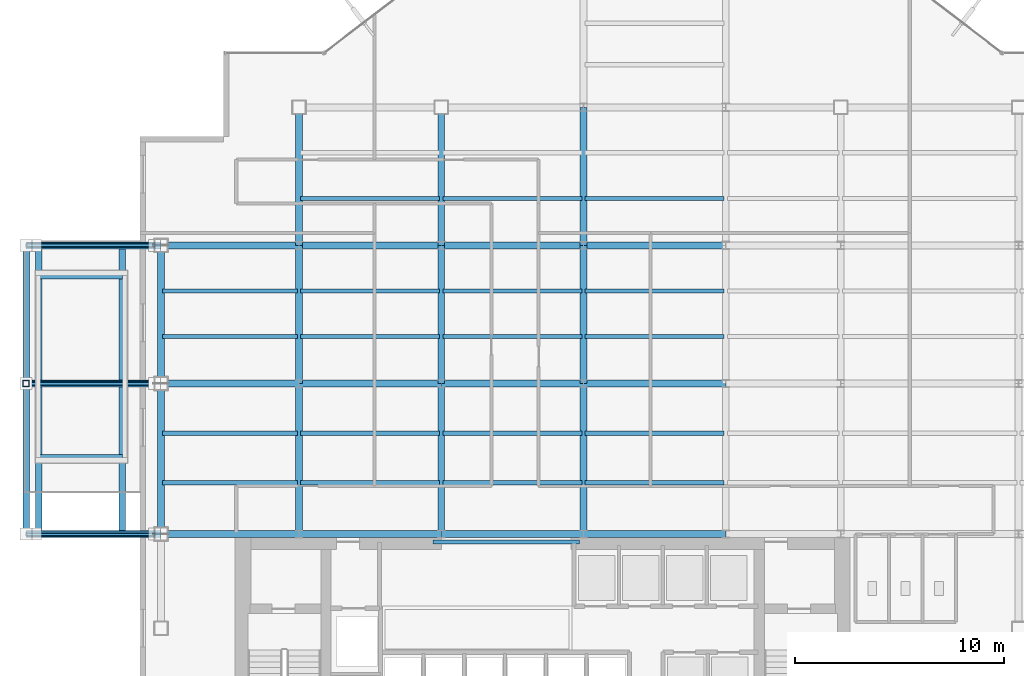
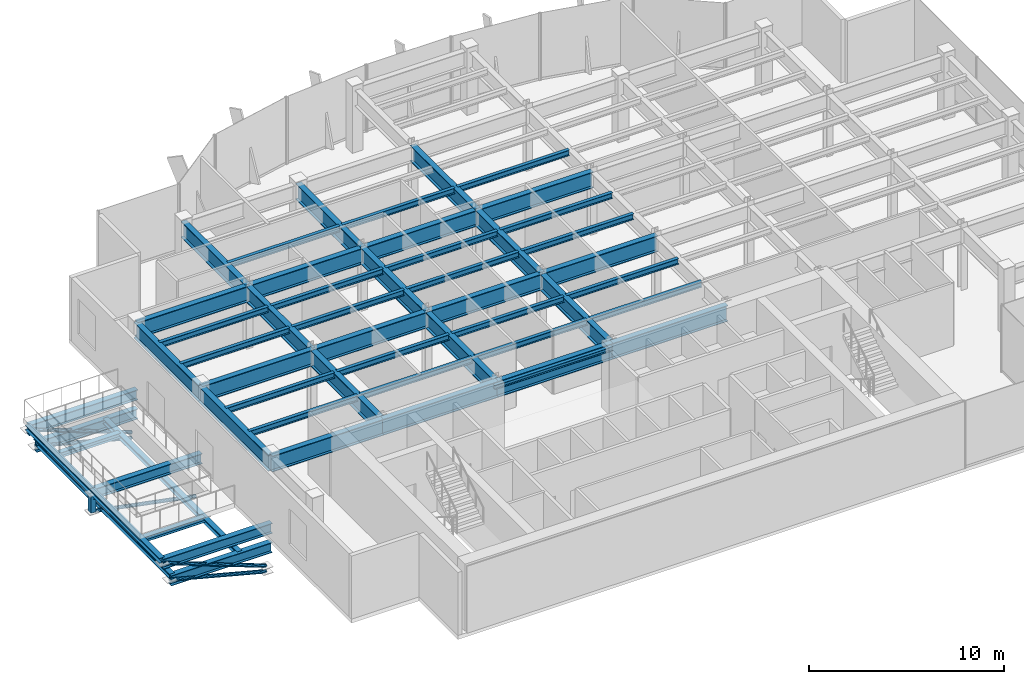
# One storey, part 3 of 26: 54 beams, 6 members.
"""IFC4 building model written with IfcOpenShell, lengths in metres."""

import ifcopenshell
import ifcopenshell.guid

model = None  # the IFC model being written
_history = None  # IfcOwnerHistory: only IFC2X3 demands one
_inside = {}  # id of a spatial element -> (the spatial element, [elements in it])
_under = {}  # id of a project, library or spatial element -> (it, [spatial elements below it])
_declared = {}  # id of a project -> (the project, [libraries it declares])
_typed = {}  # id of a type object -> (the type object, [elements of that type])
_made_of = {}  # id of a material, layer set ... -> (it, [elements and type objects made of it])


def new_model(schema):
    """Start an empty IFC model of exactly this schema.

    Asked for "IFC4X3", IfcOpenShell would pick the latest addendum, in which some entities
    have other attributes; the version numbers below select the first issue.
    IFC2X3 requires an IfcOwnerHistory on every rooted entity: one is made here for all.
    """
    global model, _history
    if schema == "IFC4X3":
        model = ifcopenshell.file(schema_version=(4, 3, 0, 0))
    else:
        model = ifcopenshell.file(schema=schema)
    _inside.clear()
    _under.clear()
    _declared.clear()
    _typed.clear()
    _made_of.clear()
    _history = None
    if model.schema == "IFC2X3":
        org = make("IfcOrganization", Name="unknown")
        user = make(
            "IfcPersonAndOrganization",
            ThePerson=make("IfcPerson", FamilyName="unknown"),
            TheOrganization=org,
        )
        app = make(
            "IfcApplication",
            ApplicationDeveloper=org,
            Version="unknown",
            ApplicationFullName="unknown",
            ApplicationIdentifier="unknown",
        )
        _history = make(
            "IfcOwnerHistory",
            OwningUser=user,
            OwningApplication=app,
            ChangeAction="ADDED",
            CreationDate=0,
        )
    return model


def make(cls, **values):
    """One entity of the class cls with the attributes given. An attribute that is None is left unset."""
    return model.create_entity(
        cls, **{name: value for name, value in values.items() if value is not None}
    )


def rooted(cls, **values):
    """An entity with a GlobalId (a new one), such as an element, a storey or a relation."""
    return make(cls, GlobalId=ifcopenshell.guid.new(), OwnerHistory=_history, **values)


def si_unit(unit_type, name, prefix=None):
    """IfcSIUnit, for example si_unit("LENGTHUNIT", "METRE", prefix="MILLI")."""
    return make("IfcSIUnit", UnitType=unit_type, Prefix=prefix, Name=name)


def derived_unit(unit_type, elements):
    """IfcDerivedUnit: a product of units, each with its exponent."""
    return make(
        "IfcDerivedUnit",
        Elements=[
            make("IfcDerivedUnitElement", Unit=unit, Exponent=power)
            for unit, power in elements
        ],
        UnitType=unit_type,
    )


def assignment(units):
    """IfcUnitAssignment: the units of a project."""
    return None if units is None else make("IfcUnitAssignment", Units=units)


def point(xyz):
    """IfcCartesianPoint."""
    return None if xyz is None else make("IfcCartesianPoint", Coordinates=xyz)


def direction(xyz):
    """IfcDirection."""
    return None if xyz is None else make("IfcDirection", DirectionRatios=xyz)


def frame(location, z_axis=None, x_axis=None):
    """IfcAxis2Placement3D, a coordinate frame: its origin and axes. An axis left out is left unset."""
    return make(
        "IfcAxis2Placement3D",
        Location=point(location),
        Axis=direction(z_axis),
        RefDirection=direction(x_axis),
    )


def frame_2d(location, x_axis=None):
    """IfcAxis2Placement2D, a coordinate frame in the plane: its origin and x axis."""
    return make(
        "IfcAxis2Placement2D", Location=point(location), RefDirection=direction(x_axis)
    )


def origin():
    """The frame at (0, 0, 0) with its axes left unset."""
    return frame((0.0, 0.0, 0.0))


def origin_2d():
    """The frame at (0, 0) in the plane with its x axis left unset."""
    return frame_2d((0.0, 0.0))


def place(relative_to, where):
    """IfcLocalPlacement: puts the frame where relative to a parent placement (None: the world)."""
    return make(
        "IfcLocalPlacement", PlacementRelTo=relative_to, RelativePlacement=where
    )


def context(
    kind, dimensions, precision=None, world=None, true_north=None, identifier=None
):
    """IfcGeometricRepresentationContext, for example the 3D "Model" context."""
    return make(
        "IfcGeometricRepresentationContext",
        ContextIdentifier=identifier,
        ContextType=kind,
        CoordinateSpaceDimension=dimensions,
        Precision=precision,
        WorldCoordinateSystem=world,
        TrueNorth=true_north,
    )


def subcontext(parent, identifier, kind, view, scale=None):
    """IfcGeometricRepresentationSubContext, for example "Body" below "Model"."""
    return make(
        "IfcGeometricRepresentationSubContext",
        ContextIdentifier=identifier,
        ContextType=kind,
        ParentContext=parent,
        TargetScale=scale,
        TargetView=view,
    )


def project(units=None, contexts=None):
    """IfcProject with its units and contexts."""
    return rooted(
        "IfcProject",
        Name="project",
        RepresentationContexts=contexts,
        UnitsInContext=assignment(units),
    )


def spatial(cls, under=None, at=None, **own):
    """A site, building, storey or space (cls), placed at a placement, below another one or the project."""
    s = rooted(cls, ObjectPlacement=at, **own)
    if under is not None:
        _under.setdefault(under.id(), (under, []))[1].append(s)
    return s


def profile(cls, at=None, kind="AREA", **sizes):
    """A parametric profile (cls). Its sizes go by their IFC names, for example OverallWidth=200.0."""
    return make(cls, ProfileType=kind, Position=at, **sizes)


def hollow_rectangle(**sizes):
    """IfcRectangleHollowProfileDef."""
    return profile("IfcRectangleHollowProfileDef", **sizes)


def hollow_circle(**sizes):
    """IfcCircleHollowProfileDef."""
    return profile("IfcCircleHollowProfileDef", **sizes)


def i_section(**sizes):
    """IfcIShapeProfileDef."""
    return profile("IfcIShapeProfileDef", **sizes)


def extrude(swept, where, along, depth):
    """IfcExtrudedAreaSolid: the profile swept, set in the frame where, extruded along a direction by depth."""
    return make(
        "IfcExtrudedAreaSolid",
        SweptArea=swept,
        Position=where,
        ExtrudedDirection=direction(along),
        Depth=depth,
    )


def shape(context_of_items, identifier, shape_type, items):
    """IfcShapeRepresentation: the items that make up one representation, for example the "Body"."""
    return make(
        "IfcShapeRepresentation",
        ContextOfItems=context_of_items,
        RepresentationIdentifier=identifier,
        RepresentationType=shape_type,
        Items=items,
    )


def source(mapping_origin, context_of_items, identifier, shape_type, items):
    """IfcRepresentationMap: a shape defined once, which mapped items show again and again."""
    return make(
        "IfcRepresentationMap",
        MappingOrigin=mapping_origin,
        MappedRepresentation=shape(context_of_items, identifier, shape_type, items),
    )


def transform(
    local_origin,
    x_axis=None,
    y_axis=None,
    z_axis=None,
    scale=None,
    scale2=None,
    scale3=None,
    uniform=True,
):
    """IfcCartesianTransformationOperator3D, or its non-uniform kind. x_axis, y_axis, z_axis: its Axis1, 2, 3."""
    if uniform:
        return make(
            "IfcCartesianTransformationOperator3D",
            Axis1=direction(x_axis),
            Axis2=direction(y_axis),
            LocalOrigin=point(local_origin),
            Scale=scale,
            Axis3=direction(z_axis),
        )
    return make(
        "IfcCartesianTransformationOperator3DnonUniform",
        Axis1=direction(x_axis),
        Axis2=direction(y_axis),
        LocalOrigin=point(local_origin),
        Scale=scale,
        Axis3=direction(z_axis),
        Scale2=scale2,
        Scale3=scale3,
    )


def mapped(mapping_source, mapping_target):
    """IfcMappedItem: shows the shape of a source again, moved by a transform."""
    return make(
        "IfcMappedItem", MappingSource=mapping_source, MappingTarget=mapping_target
    )


def material(Name=None, Category=None):
    """IfcMaterial."""
    return make("IfcMaterial", Name=Name, Category=Category)


def material_profile(
    of_material, cross_section, Name=None, Category=None, Priority=None
):
    """IfcMaterialProfile: a cross section and its material."""
    return make(
        "IfcMaterialProfile",
        Name=Name,
        Material=of_material,
        Profile=cross_section,
        Priority=Priority,
        Category=Category,
    )


def profile_set(profiles, Name=None, composite=None):
    """IfcMaterialProfileSet."""
    return make(
        "IfcMaterialProfileSet",
        Name=Name,
        MaterialProfiles=profiles,
        CompositeProfile=composite,
    )


def made_of(thing, what):
    """Note that an element or type object is made of a material, layer set ...; save() writes the relation."""
    if what is not None:
        _made_of.setdefault(what.id(), (what, []))[1].append(thing)
    return thing


def type_object(cls, material=None, **own):
    """A type object (cls), such as IfcWallType, which elements share."""
    return made_of(rooted(cls, **own), material)


def element(
    cls,
    number,
    at=None,
    inside=None,
    cuts=None,
    type_object=None,
    material=None,
    context=None,
    identifier="Body",
    shape_type=None,
    held_by="IfcProductDefinitionShape",
    body=None,
    shapes=None,
    **own,
):
    """One element of the class cls, such as IfcWall. Its Tag is "e" and its number.

    at: its placement. inside: the storey or other place that contains it. cuts: it is an
    opening in that element (IfcRelVoidsElement). A single representation is given by context,
    identifier, shape_type and body (its items); several are given by shapes. held_by: the class
    of the entity that holds the representations. save() writes the other relations.
    """
    e = rooted(cls, Tag="e%d" % number, ObjectPlacement=at, **own)
    if body is not None:
        shapes = [shape(context, identifier, shape_type, body)]
    if shapes is not None:
        e.Representation = make(held_by, Representations=shapes)
    if inside is not None:
        _inside.setdefault(inside.id(), (inside, []))[1].append(e)
    if cuts is not None:
        rooted(
            "IfcRelVoidsElement", RelatingBuildingElement=cuts, RelatedOpeningElement=e
        )
    if type_object is not None:
        _typed.setdefault(type_object.id(), (type_object, []))[1].append(e)
    return made_of(e, material)


def aggregate(whole, parts):
    """IfcRelAggregates: a whole, such as a stair, and the parts it consists of."""
    return rooted("IfcRelAggregates", RelatingObject=whole, RelatedObjects=parts)


def save(model, path):
    """Write the relations noted so far, then the file.

    IfcRelAggregates (storeys below a building ...), IfcRelContainedInSpatialStructure (elements
    in a storey), IfcRelDefinesByType, IfcRelAssociatesMaterial and IfcRelDeclares: one each for
    every whole, place, type object, material and project.
    """
    for whole, parts in _under.values():
        aggregate(whole, parts)
    for where, things in _inside.values():
        rooted(
            "IfcRelContainedInSpatialStructure",
            RelatedElements=things,
            RelatingStructure=where,
        )
    for kind, things in _typed.values():
        rooted("IfcRelDefinesByType", RelatedObjects=things, RelatingType=kind)
    for what, things in _made_of.values():
        rooted("IfcRelAssociatesMaterial", RelatedObjects=things, RelatingMaterial=what)
    for by, libraries in _declared.values():
        rooted("IfcRelDeclares", RelatingContext=by, RelatedDefinitions=libraries)
    model.write(path)


model = new_model("IFC4")

# Units and contexts
model_context = context("Model", 3, precision=1e-05, world=origin(), true_north=direction((0.0, 1.0)))
body_context = subcontext(model_context, "Body", "Model", "MODEL_VIEW")
ifc_project = project(units=[si_unit("LENGTHUNIT", "METRE"), si_unit("AREAUNIT", "SQUARE_METRE"), si_unit("VOLUMEUNIT", "CUBIC_METRE"), si_unit("PLANEANGLEUNIT", "RADIAN"), si_unit("MASSUNIT", "GRAM", prefix="KILO"), derived_unit("THERMALTRANSMITTANCEUNIT", [(si_unit("POWERUNIT", "WATT"), 1), (si_unit("LENGTHUNIT", "METRE"), -2), (si_unit("THERMODYNAMICTEMPERATUREUNIT", "KELVIN"), -1)])], contexts=[model_context])

# Site, building, storey
site_placement = place(None, origin())
site = spatial("IfcSite", under=ifc_project, at=site_placement, CompositionType="ELEMENT")
building_placement = place(site_placement, origin())
building = spatial("IfcBuilding", under=site, at=building_placement, Name="Skarnbrae Concourse Arena and Tower", CompositionType="ELEMENT")
storey_placement = place(building_placement, frame((0.0, 0.0, 184.39990234375)))
storey = spatial("IfcBuildingStorey", under=building, at=storey_placement, Name="L47", CompositionType="ELEMENT", Elevation=184.39990234375)

# Beams
ifc_material = material(Name="Steel CSA G40.21 350W", Category="steel")
ifc_material_profile_1 = material_profile(ifc_material, i_section(OverallWidth=0.202880859375, OverallDepth=0.251953125, WebThickness=0.008056640625, FlangeThickness=0.013427734375, at=origin_2d()), Name="W250X58")
ifc_profile_set_1 = profile_set([ifc_material_profile_1], Name="Steel CSA G40.21 350W")
beam_type_1 = type_object("IfcBeamType", Name="BM-LINTEL-W250X58", PredefinedType="LINTEL", material=ifc_profile_set_1)
shared_shape_1 = source(origin(), body_context, "Body", "SweptSolid", [
    extrude(i_section(OverallWidth=0.202880859375, OverallDepth=0.251953125, WebThickness=0.008056640625, FlangeThickness=0.013427734375, at=origin_2d()), origin(), (0.0, 0.0, 1.0), 7.0),
])
beam_1_placement = place(storey_placement, frame((14.0, 13.625, 3.82421875), z_axis=(1.0, 0.0, 0.0), x_axis=(0.0, 1.0, 0.0)))
element("IfcBeam", 1, at=beam_1_placement, inside=storey, type_object=beam_type_1, Name="L47 Core portal coupling lintel", PredefinedType="LINTEL", context=body_context, shape_type="MappedRepresentation", body=[
    mapped(shared_shape_1, transform((0.0, 0.0, 0.0))),
])
ifc_material_profile_2 = material_profile(ifc_material, i_section(OverallWidth=0.327880859375, OverallDepth=1.0, WebThickness=0.02099609375, FlangeThickness=0.03759765625, at=origin_2d()), Name="W1000X371")
ifc_profile_set_2 = profile_set([ifc_material_profile_2], Name="Steel CSA G40.21 350W")
beam_type_2 = type_object("IfcBeamType", Name="BM-XFER-W1000X371", PredefinedType="BEAM", material=ifc_profile_set_2)
shared_shape_2 = source(origin(), body_context, "Body", "SweptSolid", [
    extrude(i_section(OverallWidth=0.327880859375, OverallDepth=1.0, WebThickness=0.02099609375, FlangeThickness=0.03759765625, at=origin_2d()), origin(), (0.0, 0.0, 1.0), 6.60009765625),
])
for number, where, z_axis, x_axis, name in (
    (2, (1.0, 14.0, 3.400146484375), (1.0, 0.0, 0.0), (0.0, 1.0, 0.0), "L47 Primary E-W girder Y14.0-1"),
    (3, (1.0, 21.199951171875, 3.400146484375), (1.0, 0.0, 0.0), (0.0, 1.0, 0.0), "L47 Primary E-W girder Y21.2-1"),
    (4, (1.0, 27.800048828125, 3.400146484375), (1.0, 0.0, 0.0), (0.0, 1.0, 0.0), "L47 Primary E-W girder Y27.8-1"),
    (5, (1.0, 21.199951171875, 3.400146484375), (0.0, 1.0, 0.0), (-1.0, 0.0, 0.0), "L47 Perimeter spandrel X1.0-3"),
    (6, (7.60009765625, 21.199951171875, 3.400146484375), (0.0, 1.0, 0.0), (-1.0, 0.0, 0.0), "L47 Primary N-S girder X7.6-2"),
    (7, (14.39990234375, 21.199951171875, 3.400146484375), (0.0, 1.0, 0.0), (-1.0, 0.0, 0.0), "L47 Primary N-S girder X14.4-2"),
    (8, (21.199951171875, 21.199951171875, 3.400146484375), (0.0, 1.0, 0.0), (-1.0, 0.0, 0.0), "L47 Primary N-S girder X21.2-2"),
):
    element("IfcBeam", number, at=place(storey_placement, frame(where, z_axis=z_axis, x_axis=x_axis)), inside=storey, type_object=beam_type_2, Name=name, PredefinedType="BEAM", context=body_context, shape_type="MappedRepresentation", body=[
        mapped(shared_shape_2, transform((0.0, 0.0, 0.0))),
    ])
shared_shape_3 = source(origin(), body_context, "Body", "SweptSolid", [
    extrude(i_section(OverallWidth=0.327880859375, OverallDepth=1.0, WebThickness=0.02099609375, FlangeThickness=0.03759765625, at=origin_2d()), origin(), (0.0, 0.0, 1.0), 6.7998046875),
])
for number, where, z_axis, x_axis, name in (
    (9, (7.60009765625, 14.0, 3.400146484375), (1.0, 0.0, 0.0), (0.0, 1.0, 0.0), "L47 Primary E-W girder Y14.0-2"),
    (10, (7.60009765625, 21.199951171875, 3.400146484375), (1.0, 0.0, 0.0), (0.0, 1.0, 0.0), "L47 Primary E-W girder Y21.2-2"),
    (11, (7.60009765625, 27.800048828125, 3.400146484375), (1.0, 0.0, 0.0), (0.0, 1.0, 0.0), "L47 Primary E-W girder Y27.8-2"),
):
    element("IfcBeam", number, at=place(storey_placement, frame(where, z_axis=z_axis, x_axis=x_axis)), inside=storey, type_object=beam_type_2, Name=name, PredefinedType="BEAM", context=body_context, shape_type="MappedRepresentation", body=[
        mapped(shared_shape_3, transform((0.0, 0.0, 0.0))),
    ])
shared_shape_4 = source(origin(), body_context, "Body", "SweptSolid", [
    extrude(i_section(OverallWidth=0.327880859375, OverallDepth=1.0, WebThickness=0.02099609375, FlangeThickness=0.03759765625, at=origin_2d()), origin(), (0.0, 0.0, 1.0), 6.800048828125),
])
for number, where, z_axis, x_axis, name in (
    (12, (14.39990234375, 14.0, 3.400146484375), (1.0, 0.0, 0.0), (0.0, 1.0, 0.0), "L47 Primary E-W girder Y14.0-3"),
    (13, (21.199951171875, 14.0, 3.400146484375), (1.0, 0.0, 0.0), (0.0, 1.0, 0.0), "L47 Primary E-W girder Y14.0-4"),
    (14, (14.39990234375, 21.199951171875, 3.400146484375), (1.0, 0.0, 0.0), (0.0, 1.0, 0.0), "L47 Primary E-W girder Y21.2-3"),
    (15, (21.199951171875, 21.199951171875, 3.400146484375), (1.0, 0.0, 0.0), (0.0, 1.0, 0.0), "L47 Primary E-W girder Y21.2-4"),
    (16, (14.39990234375, 27.800048828125, 3.400146484375), (1.0, 0.0, 0.0), (0.0, 1.0, 0.0), "L47 Primary E-W girder Y27.8-3"),
    (17, (21.199951171875, 27.800048828125, 3.400146484375), (1.0, 0.0, 0.0), (0.0, 1.0, 0.0), "L47 Primary E-W girder Y27.8-4"),
):
    element("IfcBeam", number, at=place(storey_placement, frame(where, z_axis=z_axis, x_axis=x_axis)), inside=storey, type_object=beam_type_2, Name=name, PredefinedType="BEAM", context=body_context, shape_type="MappedRepresentation", body=[
        mapped(shared_shape_4, transform((0.0, 0.0, 0.0))),
    ])
shared_shape_5 = source(origin(), body_context, "Body", "SweptSolid", [
    extrude(i_section(OverallWidth=0.327880859375, OverallDepth=1.0, WebThickness=0.02099609375, FlangeThickness=0.03759765625, at=origin_2d()), origin(), (0.0, 0.0, 1.0), 7.199951171875),
])
for number, where, z_axis, x_axis, name in (
    (18, (1.0, 14.0, 3.400146484375), (0.0, 1.0, 0.0), (-1.0, 0.0, 0.0), "L47 Perimeter spandrel X1.0-2"),
    (19, (7.60009765625, 14.0, 3.400146484375), (0.0, 1.0, 0.0), (-1.0, 0.0, 0.0), "L47 Primary N-S girder X7.6-1"),
    (20, (14.39990234375, 14.0, 3.400146484375), (0.0, 1.0, 0.0), (-1.0, 0.0, 0.0), "L47 Primary N-S girder X14.4-1"),
    (21, (21.199951171875, 14.0, 3.400146484375), (0.0, 1.0, 0.0), (-1.0, 0.0, 0.0), "L47 Primary N-S girder X21.2-1"),
):
    element("IfcBeam", number, at=place(storey_placement, frame(where, z_axis=z_axis, x_axis=x_axis)), inside=storey, type_object=beam_type_2, Name=name, PredefinedType="BEAM", context=body_context, shape_type="MappedRepresentation", body=[
        mapped(shared_shape_5, transform((0.0, 0.0, 0.0))),
    ])
shared_shape_6 = source(origin(), body_context, "Body", "SweptSolid", [
    extrude(i_section(OverallWidth=0.327880859375, OverallDepth=1.0, WebThickness=0.02099609375, FlangeThickness=0.03759765625, at=origin_2d()), origin(), (0.0, 0.0, 1.0), 6.599853515625),
])
for number, where, z_axis, x_axis, name in (
    (22, (7.60009765625, 27.800048828125, 3.400146484375), (0.0, 1.0, 0.0), (-1.0, 0.0, 0.0), "L47 Primary N-S girder X7.6-3"),
    (23, (14.39990234375, 27.800048828125, 3.400146484375), (0.0, 1.0, 0.0), (-1.0, 0.0, 0.0), "L47 Primary N-S girder X14.4-3"),
    (24, (21.199951171875, 27.800048828125, 3.400146484375), (0.0, 1.0, 0.0), (-1.0, 0.0, 0.0), "L47 Primary N-S girder X21.2-3"),
):
    element("IfcBeam", number, at=place(storey_placement, frame(where, z_axis=z_axis, x_axis=x_axis)), inside=storey, type_object=beam_type_2, Name=name, PredefinedType="BEAM", context=body_context, shape_type="MappedRepresentation", body=[
        mapped(shared_shape_6, transform((0.0, 0.0, 0.0))),
    ])
ifc_material_profile_3 = material_profile(ifc_material, i_section(OverallWidth=0.3291015625, OverallDepth=0.635009765625, WebThickness=0.017822265625, FlangeThickness=0.031005859375, at=origin_2d()), Name="W610X241")
ifc_profile_set_3 = profile_set([ifc_material_profile_3], Name="Steel CSA G40.21 350W")
beam_type_3 = type_object("IfcBeamType", Name="BM-GIRD-W610X241", PredefinedType="BEAM", material=ifc_profile_set_3)
shared_shape_7 = source(origin(), body_context, "Body", "SweptSolid", [
    extrude(i_section(OverallWidth=0.3291015625, OverallDepth=0.635009765625, WebThickness=0.017822265625, FlangeThickness=0.031005859375, at=origin_2d()), origin(), (0.0, 0.0, 1.0), 6.0),
])
for number, where, z_axis, x_axis, name in (
    (25, (1.0, 14.0, -1.8173828125), (-1.0, 0.0, 0.0), (0.0, -1.0, 0.0), "L47 Sky pool basin carrier girder 1"),
    (26, (1.0, 27.800048828125, -1.8173828125), (-1.0, 0.0, 0.0), (0.0, -1.0, 0.0), "L47 Sky pool basin carrier girder 2"),
):
    element("IfcBeam", number, at=place(storey_placement, frame(where, z_axis=z_axis, x_axis=x_axis)), inside=storey, type_object=beam_type_3, Name=name, PredefinedType="BEAM", context=body_context, shape_type="MappedRepresentation", body=[
        mapped(shared_shape_7, transform((0.0, 0.0, 0.0))),
    ])
ifc_material_profile_4 = material_profile(ifc_material, i_section(OverallWidth=0.205078125, OverallDepth=0.35400390625, WebThickness=0.009521484375, FlangeThickness=0.016845703125, at=origin_2d()), Name="W360X79")
ifc_profile_set_4 = profile_set([ifc_material_profile_4], Name="Steel CSA G40.21 350W")
beam_type_4 = type_object("IfcBeamType", Name="BM-JOIST-W360X79", PredefinedType="JOIST", material=ifc_profile_set_4)
shared_shape_8 = source(origin(), body_context, "Body", "SweptSolid", [
    extrude(i_section(OverallWidth=0.205078125, OverallDepth=0.35400390625, WebThickness=0.009521484375, FlangeThickness=0.016845703125, at=origin_2d()), origin(), (0.0, 0.0, 1.0), 6.43994140625),
])
for number, where, z_axis, x_axis, name in (
    (27, (1.080078125, 16.447998046875, 3.72314453125), (1.0, 0.0, 0.0), (0.0, 1.0, 0.0), "L47 Secondary floor joist 1.1.1"),
    (28, (1.080078125, 18.823974609375, 3.72314453125), (1.0, 0.0, 0.0), (0.0, 1.0, 0.0), "L47 Secondary floor joist 1.2.1"),
    (29, (1.080078125, 23.444091796875, 3.72314453125), (1.0, 0.0, 0.0), (0.0, 1.0, 0.0), "L47 Secondary floor joist 2.1.1"),
    (30, (1.080078125, 25.6220703125, 3.72314453125), (1.0, 0.0, 0.0), (0.0, 1.0, 0.0), "L47 Secondary floor joist 2.2.1"),
):
    element("IfcBeam", number, at=place(storey_placement, frame(where, z_axis=z_axis, x_axis=x_axis)), inside=storey, type_object=beam_type_4, Name=name, PredefinedType="JOIST", context=body_context, shape_type="MappedRepresentation", body=[
        mapped(shared_shape_8, transform((0.0, 0.0, 0.0))),
    ])
shared_shape_9 = source(origin(), body_context, "Body", "SweptSolid", [
    extrude(i_section(OverallWidth=0.205078125, OverallDepth=0.35400390625, WebThickness=0.009521484375, FlangeThickness=0.016845703125, at=origin_2d()), origin(), (0.0, 0.0, 1.0), 6.64013671875),
])
for number, where, z_axis, x_axis, name in (
    (31, (7.679931640625, 16.447998046875, 3.72314453125), (1.0, 0.0, 0.0), (0.0, 1.0, 0.0), "L47 Secondary floor joist 1.1.2"),
    (32, (14.47998046875, 16.447998046875, 3.72314453125), (1.0, 0.0, 0.0), (0.0, 1.0, 0.0), "L47 Secondary floor joist 1.1.3"),
    (33, (7.679931640625, 18.823974609375, 3.72314453125), (1.0, 0.0, 0.0), (0.0, 1.0, 0.0), "L47 Secondary floor joist 1.2.2"),
    (34, (14.47998046875, 18.823974609375, 3.72314453125), (1.0, 0.0, 0.0), (0.0, 1.0, 0.0), "L47 Secondary floor joist 1.2.3"),
    (35, (7.679931640625, 23.444091796875, 3.72314453125), (1.0, 0.0, 0.0), (0.0, 1.0, 0.0), "L47 Secondary floor joist 2.1.2"),
    (36, (14.47998046875, 23.444091796875, 3.72314453125), (1.0, 0.0, 0.0), (0.0, 1.0, 0.0), "L47 Secondary floor joist 2.1.3"),
    (37, (7.679931640625, 25.6220703125, 3.72314453125), (1.0, 0.0, 0.0), (0.0, 1.0, 0.0), "L47 Secondary floor joist 2.2.2"),
    (38, (14.47998046875, 25.6220703125, 3.72314453125), (1.0, 0.0, 0.0), (0.0, 1.0, 0.0), "L47 Secondary floor joist 2.2.3"),
    (39, (7.679931640625, 30.0439453125, 3.72314453125), (1.0, 0.0, 0.0), (0.0, 1.0, 0.0), "L47 Secondary floor joist 3.1.1"),
    (40, (14.47998046875, 30.0439453125, 3.72314453125), (1.0, 0.0, 0.0), (0.0, 1.0, 0.0), "L47 Secondary floor joist 3.1.2"),
):
    element("IfcBeam", number, at=place(storey_placement, frame(where, z_axis=z_axis, x_axis=x_axis)), inside=storey, type_object=beam_type_4, Name=name, PredefinedType="JOIST", context=body_context, shape_type="MappedRepresentation", body=[
        mapped(shared_shape_9, transform((0.0, 0.0, 0.0))),
    ])
shared_shape_10 = source(origin(), body_context, "Body", "SweptSolid", [
    extrude(i_section(OverallWidth=0.205078125, OverallDepth=0.35400390625, WebThickness=0.009521484375, FlangeThickness=0.016845703125, at=origin_2d()), origin(), (0.0, 0.0, 1.0), 6.639892578125),
])
for number, where, z_axis, x_axis, name in (
    (41, (21.280029296875, 16.447998046875, 3.72314453125), (1.0, 0.0, 0.0), (0.0, 1.0, 0.0), "L47 Secondary floor joist 1.1.4"),
    (42, (21.280029296875, 18.823974609375, 3.72314453125), (1.0, 0.0, 0.0), (0.0, 1.0, 0.0), "L47 Secondary floor joist 1.2.4"),
    (43, (21.280029296875, 23.444091796875, 3.72314453125), (1.0, 0.0, 0.0), (0.0, 1.0, 0.0), "L47 Secondary floor joist 2.1.4"),
    (44, (21.280029296875, 25.6220703125, 3.72314453125), (1.0, 0.0, 0.0), (0.0, 1.0, 0.0), "L47 Secondary floor joist 2.2.4"),
    (45, (21.280029296875, 30.0439453125, 3.72314453125), (1.0, 0.0, 0.0), (0.0, 1.0, 0.0), "L47 Secondary floor joist 3.1.3"),
):
    element("IfcBeam", number, at=place(storey_placement, frame(where, z_axis=z_axis, x_axis=x_axis)), inside=storey, type_object=beam_type_4, Name=name, PredefinedType="JOIST", context=body_context, shape_type="MappedRepresentation", body=[
        mapped(shared_shape_10, transform((0.0, 0.0, 0.0))),
    ])
shared_shape_11 = source(origin(), body_context, "Body", "SweptSolid", [
    extrude(i_section(OverallWidth=0.3291015625, OverallDepth=0.635009765625, WebThickness=0.017822265625, FlangeThickness=0.031005859375, at=origin_2d()), origin(), (0.0, 0.0, 1.0), 6.449951171875),
])
for number, where, z_axis, x_axis, name in (
    (46, (1.0, 14.0, -0.617431640625), (-1.0, 0.0, 0.0), (0.0, -1.0, 0.0), "L47 Sky pool cantilever trusses projection girder 1"),
    (47, (1.0, 21.199951171875, -0.617431640625), (-1.0, 0.0, 0.0), (0.0, -1.0, 0.0), "L47 Sky pool cantilever trusses projection girder 2"),
    (48, (1.0, 27.800048828125, -0.617431640625), (-1.0, 0.0, 0.0), (0.0, -1.0, 0.0), "L47 Sky pool cantilever trusses projection girder 3"),
):
    element("IfcBeam", number, at=place(storey_placement, frame(where, z_axis=z_axis, x_axis=x_axis)), inside=storey, type_object=beam_type_3, Name=name, PredefinedType="BEAM", context=body_context, shape_type="MappedRepresentation", body=[
        mapped(shared_shape_11, transform((0.0, 0.0, 0.0))),
    ])

# Members
ifc_material_profile_5 = material_profile(ifc_material, hollow_circle(Radius=0.109619140625, WallThickness=0.0126953125, at=origin_2d()), Name="HSS219X12.7")
ifc_profile_set_5 = profile_set([ifc_material_profile_5], Name="Steel CSA G40.21 350W")
member_type_1 = type_object("IfcMemberType", Name="MEM-POOL-STRUT-CHS219", PredefinedType="STRUT", material=ifc_profile_set_5)
shared_shape_12 = source(origin(), body_context, "Body", "SweptSolid", [
    extrude(hollow_circle(Radius=0.109619140625, WallThickness=0.0126953125, at=origin_2d()), origin(), (0.0, 0.0, 1.0), 6.5634765625),
])
for number, where, z_axis, x_axis, name in (
    (49, (0.68505859375, 14.0, -2.949951171875), (-0.934722057049, 0.0, 0.35537962247), (0.0, -1.0, 0.0), "L47 Sky pool cantilever raking strut 1"),
    (50, (0.68505859375, 27.800048828125, -2.949951171875), (-0.934722057049, 0.0, 0.35537962247), (0.0, -1.0, 0.0), "L47 Sky pool cantilever raking strut 3"),
):
    element("IfcMember", number, at=place(storey_placement, frame(where, z_axis=z_axis, x_axis=x_axis)), inside=storey, type_object=member_type_1, Name=name, PredefinedType="STRUT", context=body_context, shape_type="MappedRepresentation", body=[
        mapped(shared_shape_12, transform((0.0, 0.0, 0.0))),
    ])
shared_shape_13 = source(origin(), body_context, "Body", "SweptSolid", [
    extrude(hollow_circle(Radius=0.109619140625, WallThickness=0.0126953125, at=origin_2d()), origin(), (0.0, 0.0, 1.0), 6.251220703125),
])
member_1_placement = place(storey_placement, frame((0.68505859375, 21.199951171875, -2.949951171875), z_axis=(-0.98140401223, 0.0, 0.191953548494), x_axis=(0.0, -1.0, 0.0)))
element("IfcMember", 51, at=member_1_placement, inside=storey, type_object=member_type_1, Name="L47 Sky pool cantilever raking strut 2", PredefinedType="STRUT", context=body_context, shape_type="MappedRepresentation", body=[
    mapped(shared_shape_13, transform((0.0, 0.0, 0.0))),
])
ifc_material_profile_6 = material_profile(ifc_material, hollow_rectangle(XDim=0.3046875, YDim=0.3046875, WallThickness=0.015869140625, at=origin_2d()), Name="HSS305X305X15.9")
ifc_profile_set_6 = profile_set([ifc_material_profile_6], Name="Steel CSA G40.21 350W")
member_type_2 = type_object("IfcMemberType", Name="MEM-POST-HSS305", PredefinedType="POST", material=ifc_profile_set_6)
shared_shape_14 = source(origin(), body_context, "Body", "SweptSolid", [
    extrude(hollow_rectangle(XDim=0.3046875, YDim=0.3046875, WallThickness=0.015869140625, at=origin_2d()), origin(), (0.0, 0.0, 1.0), 1.132568359375),
])
member_2_placement = place(storey_placement, frame((-5.449951171875, 21.199951171875, -1.75), z_axis=(0.0, 0.0, 1.0), x_axis=(1.0, 0.0, 0.0)))
element("IfcMember", 52, at=member_2_placement, inside=storey, type_object=member_type_2, Name="L47 Sky pool outboard tip post 2", PredefinedType="POST", context=body_context, shape_type="MappedRepresentation", body=[
    mapped(shared_shape_14, transform((0.0, 0.0, 0.0))),
])
shared_shape_15 = source(origin(), body_context, "Body", "SweptSolid", [
    extrude(hollow_circle(Radius=0.109619140625, WallThickness=0.0126953125, at=origin_2d()), origin(), (0.0, 0.0, 1.0), 5.875244140625),
])
for number, where, z_axis, x_axis, name in (
    (53, (0.68505859375, 14.0, -3.2998046875), (-0.967643744432, 0.0, 0.252320399218), (0.0, -1.0, 0.0), "L47 Sky pool basin raking strut 1"),
    (54, (0.68505859375, 27.800048828125, -3.2998046875), (-0.967643744432, 0.0, 0.252320399218), (0.0, -1.0, 0.0), "L47 Sky pool basin raking strut 2"),
):
    element("IfcMember", number, at=place(storey_placement, frame(where, z_axis=z_axis, x_axis=x_axis)), inside=storey, type_object=member_type_1, Name=name, PredefinedType="STRUT", context=body_context, shape_type="MappedRepresentation", body=[
        mapped(shared_shape_15, transform((0.0, 0.0, 0.0))),
    ])

# Beams
ifc_material_profile_7 = material_profile(ifc_material, i_section(OverallWidth=0.304931640625, OverallDepth=0.30810546875, WebThickness=0.010009765625, FlangeThickness=0.015380859375, at=origin_2d()), Name="W310X97")
ifc_profile_set_7 = profile_set([ifc_material_profile_7], Name="Steel CSA G40.21 350W")
beam_type_5 = type_object("IfcBeamType", Name="BM-POOL-W310X97", PredefinedType="BEAM", material=ifc_profile_set_7)
shared_shape_16 = source(origin(), body_context, "Body", "SweptSolid", [
    extrude(i_section(OverallWidth=0.304931640625, OverallDepth=0.30810546875, WebThickness=0.010009765625, FlangeThickness=0.015380859375, at=origin_2d()), origin(), (0.0, 0.0, 1.0), 7.199951171875),
])
beam_2_placement = place(storey_placement, frame((-5.449951171875, 14.0, -0.453857421875), z_axis=(0.0, 1.0, 0.0), x_axis=(-1.0, 0.0, 0.0)))
element("IfcBeam", 55, at=beam_2_placement, inside=storey, type_object=beam_type_5, Name="L47 Sky pool outer edge beam 1", PredefinedType="BEAM", context=body_context, shape_type="MappedRepresentation", body=[
    mapped(shared_shape_16, transform((0.0, 0.0, 0.0))),
])
shared_shape_17 = source(origin(), body_context, "Body", "SweptSolid", [
    extrude(i_section(OverallWidth=0.304931640625, OverallDepth=0.30810546875, WebThickness=0.010009765625, FlangeThickness=0.015380859375, at=origin_2d()), origin(), (0.0, 0.0, 1.0), 6.60009765625),
])
beam_3_placement = place(storey_placement, frame((-5.449951171875, 21.199951171875, -0.453857421875), z_axis=(0.0, 1.0, 0.0), x_axis=(-1.0, 0.0, 0.0)))
element("IfcBeam", 56, at=beam_3_placement, inside=storey, type_object=beam_type_5, Name="L47 Sky pool outer edge beam 2", PredefinedType="BEAM", context=body_context, shape_type="MappedRepresentation", body=[
    mapped(shared_shape_17, transform((0.0, 0.0, 0.0))),
])
shared_shape_18 = source(origin(), body_context, "Body", "SweptSolid", [
    extrude(i_section(OverallWidth=0.304931640625, OverallDepth=0.30810546875, WebThickness=0.010009765625, FlangeThickness=0.015380859375, at=origin_2d()), origin(), (0.0, 0.0, 1.0), 13.800048828125),
])
for number, where, z_axis, x_axis, name in (
    (57, (-4.85009765625, 14.0, -1.65380859375), (0.0, 1.0, 0.0), (-1.0, 0.0, 0.0), "L47 Sky pool depressed basin carrier beam 1"),
    (58, (-0.85009765625, 14.0, -1.65380859375), (0.0, 1.0, 0.0), (-1.0, 0.0, 0.0), "L47 Sky pool depressed basin carrier beam 2"),
):
    element("IfcBeam", number, at=place(storey_placement, frame(where, z_axis=z_axis, x_axis=x_axis)), inside=storey, type_object=beam_type_5, Name=name, PredefinedType="BEAM", context=body_context, shape_type="MappedRepresentation", body=[
        mapped(shared_shape_18, transform((0.0, 0.0, 0.0))),
    ])
shared_shape_19 = source(origin(), body_context, "Body", "SweptSolid", [
    extrude(i_section(OverallWidth=0.304931640625, OverallDepth=0.30810546875, WebThickness=0.010009765625, FlangeThickness=0.015380859375, at=origin_2d()), origin(), (0.0, 0.0, 1.0), 4.0),
])
for number, where, z_axis, x_axis, name in (
    (59, (-4.85009765625, 17.64990234375, -1.65380859375), (1.0, 0.0, 0.0), (0.0, 1.0, 0.0), "L47 Sky pool depressed basin cross beam 1"),
    (60, (-4.85009765625, 26.35009765625, -1.65380859375), (1.0, 0.0, 0.0), (0.0, 1.0, 0.0), "L47 Sky pool depressed basin cross beam 2"),
):
    element("IfcBeam", number, at=place(storey_placement, frame(where, z_axis=z_axis, x_axis=x_axis)), inside=storey, type_object=beam_type_5, Name=name, PredefinedType="BEAM", context=body_context, shape_type="MappedRepresentation", body=[
        mapped(shared_shape_19, transform((0.0, 0.0, 0.0))),
    ])

save(model, "model.ifc")
